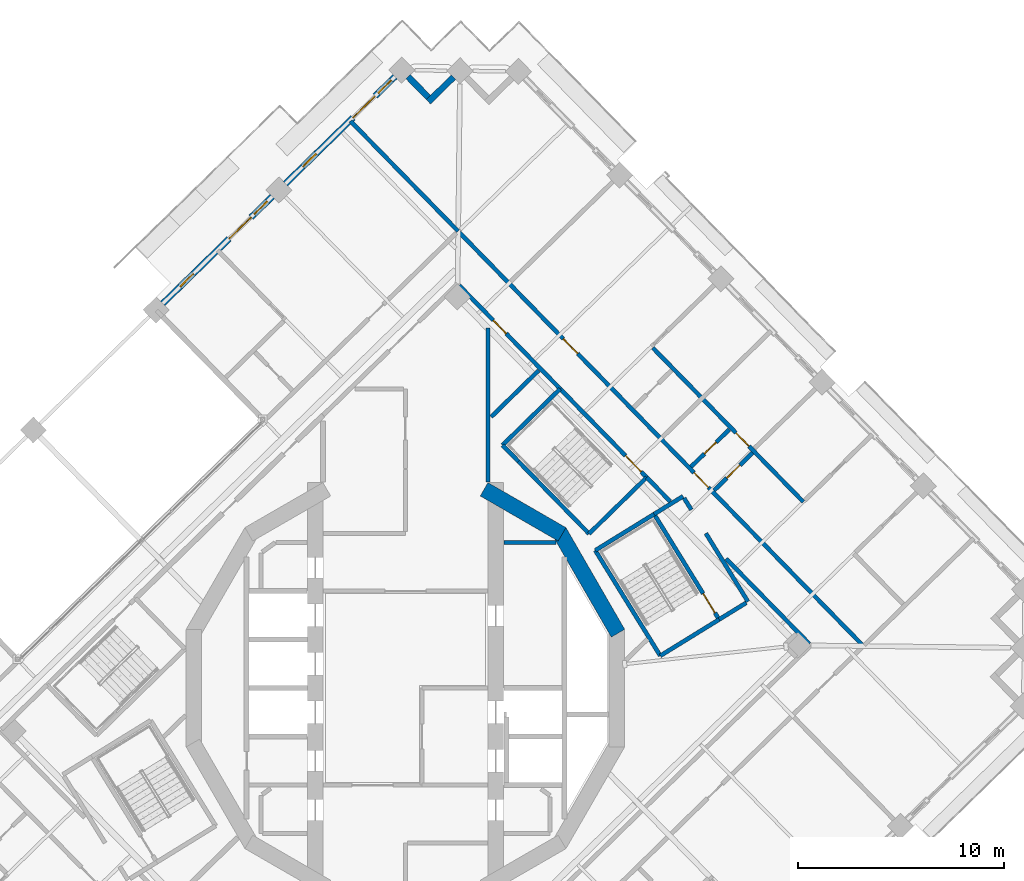
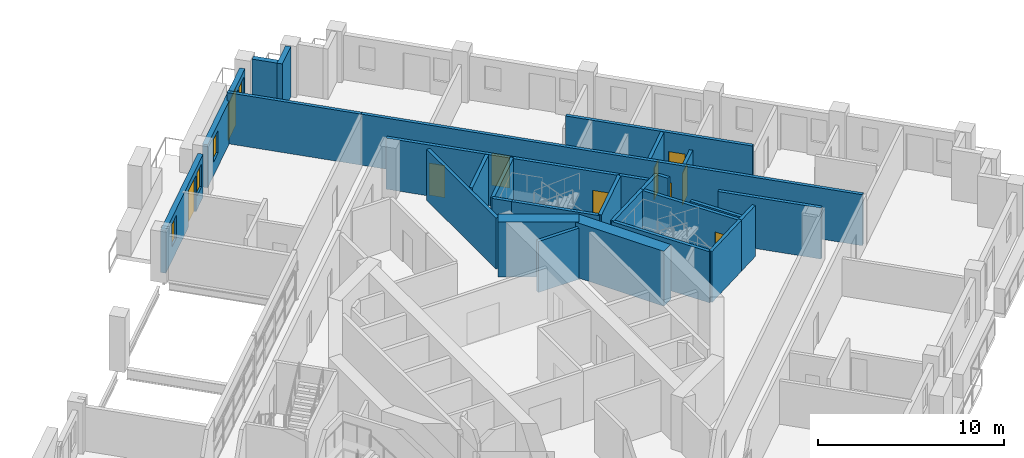
# One storey, part 12 of 21: 30 walls, 10 doors, 4 windows, 14 openings.
"""IFC4 building model written with IfcOpenShell, lengths in metres."""

from ifc_helpers import new_model, si_unit, direction, frame, frame_2d, origin, place, context, subcontext, project, spatial, rectangle, extrude, material, layer, layer_set, type_object, element, fill, save


model = new_model("IFC4")

# Units and contexts
model_context = context("Model", 3, precision=1e-05, world=origin(), true_north=direction((0.0, 1.0)))
body_context = subcontext(model_context, "Body", "Model", "MODEL_VIEW")
ifc_project = project(units=[si_unit("LENGTHUNIT", "METRE"), si_unit("AREAUNIT", "SQUARE_METRE"), si_unit("VOLUMEUNIT", "CUBIC_METRE"), si_unit("PLANEANGLEUNIT", "RADIAN"), si_unit("MASSUNIT", "GRAM", prefix="KILO")], contexts=[model_context])

# Site, building, storey
site_placement = place(None, origin())
site = spatial("IfcSite", under=ifc_project, at=site_placement, CompositionType="ELEMENT")
building_placement = place(site_placement, origin())
building = spatial("IfcBuilding", under=site, at=building_placement, Name="Cantera Rosa Tower", CompositionType="ELEMENT")
storey_placement = place(building_placement, frame((0.0, 0.0, 230.60009765625)))
storey = spatial("IfcBuildingStorey", under=building, at=storey_placement, Name="L50", CompositionType="ELEMENT", Elevation=230.60009765625)

# Wall
ifc_material_1 = material(Name="Gypsum board partition")
ifc_layer_1 = layer(ifc_material_1, 0.199951171875)
ifc_layer_set_1 = layer_set([ifc_layer_1], Name="CORRIDOR WALL 200 H2300")
wall_type_1 = type_object("IfcWallType", Name="CORRIDOR WALL 200 H2300", PredefinedType="PARTITIONING", material=ifc_layer_set_1)
wall_1_placement = place(storey_placement, frame((14.55810546875, 7.5009765625, 0.0), z_axis=(0.0, 0.0, 1.0), x_axis=(0.524986446256, -0.851110586967, 0.0)))
element("IfcWall", 1, at=wall_1_placement, inside=storey, type_object=wall_type_1, Name="CORRIDOR WALL L50-109", PredefinedType="PARTITIONING", context=body_context, shape_type="SweptSolid", body=[
    extrude(rectangle(XDim=3.890625, YDim=0.199951171875, at=frame_2d((1.9453125, 0.0))), origin(), (0.0, 0.0, 1.0), 2.2998046875),
])

# Wall, openings, doors
ifc_material_2 = material(Name="Gypsum board partition")
ifc_layer_2 = layer(ifc_material_2, 0.199951171875)
ifc_layer_set_2 = layer_set([ifc_layer_2], Name="CORRIDOR WALL 200 H3350")
wall_type_2 = type_object("IfcWallType", Name="CORRIDOR WALL 200 H3350", PredefinedType="PARTITIONING", material=ifc_layer_set_2)
wall_2_placement = place(storey_placement, frame((2.56982421875, 22.125244140625, 0.0), z_axis=(0.0, 0.0, 1.0), x_axis=(0.698835160182, -0.715282754506, 0.0)))
wall_2 = element("IfcWall", 2, at=wall_2_placement, inside=storey, type_object=wall_type_2, Name="CORRIDOR WALL L50-070", PredefinedType="PARTITIONING", context=body_context, shape_type="SweptSolid", body=[
    extrude(rectangle(XDim=27.97998046875, YDim=0.199951171875, at=frame_2d((13.989990234375, 0.0))), origin(), (0.0, 0.0, 1.0), 3.349853515625),
])
opening_1_placement = place(wall_2_placement, frame((16.330078125, 0.0, 0.0)))
opening_1 = element("IfcOpeningElement", 3, at=opening_1_placement, cuts=wall_2, Name="Opening L50-025", PredefinedType="OPENING", context=body_context, shape_type="SweptSolid", body=[
    extrude(rectangle(XDim=1.0, YDim=2.10009765625, at=frame_2d((0.5, 1.050048828125))), frame((0.0, 0.10986328125, 0.0), z_axis=(0.0, -1.0, 0.0), x_axis=(1.0, 0.0, 0.0)), (0.0, 0.0, 1.0), 0.219970703125),
])
opening_2_placement = place(wall_2_placement, frame((7.264892578125, 0.0, 0.0)))
opening_2 = element("IfcOpeningElement", 4, at=opening_2_placement, cuts=wall_2, Name="Opening L50-031", PredefinedType="OPENING", context=body_context, shape_type="SweptSolid", body=[
    extrude(rectangle(XDim=1.0, YDim=2.10009765625, at=frame_2d((0.5, 1.050048828125))), frame((0.0, 0.10986328125, 0.0), z_axis=(0.0, -1.0, 0.0), x_axis=(1.0, 0.0, 0.0)), (0.0, 0.0, 1.0), 0.219970703125),
])
ifc_material_3 = material(Name="Timber door leaf", Category="wood")
door_type_1 = type_object("IfcDoorType", Name="ENTRANCE DOOR 1000x2100", OperationType="NOTDEFINED", PredefinedType="DOOR", material=ifc_material_3)
door_1_placement = place(opening_1_placement, origin())
door_1 = element("IfcDoor", 5, at=door_1_placement, inside=storey, type_object=door_type_1, Name="DOOR L50-025", OperationType="NOTDEFINED", OverallHeight=2.10009765625, OverallWidth=1.0, PredefinedType="DOOR", context=body_context, shape_type="SweptSolid", body=[
    extrude(rectangle(XDim=1.0, YDim=2.10009765625, at=frame_2d((0.5, 1.050048828125))), frame((0.0, 0.02490234375, 0.0), z_axis=(0.0, -1.0, 0.0), x_axis=(1.0, 0.0, 0.0)), (0.0, 0.0, 1.0), 0.050048828125),
])
fill(opening_1, door_1)
door_2_placement = place(opening_2_placement, origin())
door_2 = element("IfcDoor", 6, at=door_2_placement, inside=storey, type_object=door_type_1, Name="DOOR L50-031", OperationType="NOTDEFINED", OverallHeight=2.10009765625, OverallWidth=1.0, PredefinedType="DOOR", context=body_context, shape_type="SweptSolid", body=[
    extrude(rectangle(XDim=1.0, YDim=2.10009765625, at=frame_2d((0.5, 1.050048828125))), frame((0.0, 0.02490234375, 0.0), z_axis=(0.0, -1.0, 0.0), x_axis=(1.0, 0.0, 0.0)), (0.0, 0.0, 1.0), 0.050048828125),
])
fill(opening_2, door_2)

# Wall
wall_3_placement = place(storey_placement, frame((4.0, 17.44189453125, 0.0), z_axis=(0.0, 0.0, 1.0), x_axis=(0.0, -1.0, 0.0)))
element("IfcWall", 7, at=wall_3_placement, inside=storey, type_object=wall_type_2, Name="CORRIDOR WALL L50-075", PredefinedType="PARTITIONING", context=body_context, shape_type="SweptSolid", body=[
    extrude(rectangle(XDim=7.44775390625, YDim=0.199951171875, at=frame_2d((3.723876953125, 0.0))), origin(), (0.0, 0.0, 1.0), 3.349853515625),
])

# Wall, opening, door
wall_4_placement = place(storey_placement, frame((7.498779296875, 14.50439453125, 0.0), z_axis=(0.0, 0.0, 1.0), x_axis=(-0.698822589619, 0.715295035799, 0.0)))
wall_4 = element("IfcWall", 8, at=wall_4_placement, inside=storey, type_object=wall_type_2, Name="CORRIDOR WALL L50-086", PredefinedType="PARTITIONING", context=body_context, shape_type="SweptSolid", body=[
    extrude(rectangle(XDim=6.99560546875, YDim=0.199951171875, at=frame_2d((3.497802734375, 0.0))), origin(), (0.0, 0.0, 1.0), 3.349853515625),
])
opening_3_placement = place(wall_4_placement, frame((3.7373046875, 0.0, 0.0)))
opening_3 = element("IfcOpeningElement", 9, at=opening_3_placement, cuts=wall_4, Name="Opening L50-007", PredefinedType="OPENING", context=body_context, shape_type="SweptSolid", body=[
    extrude(rectangle(XDim=0.89990234375, YDim=2.10009765625, at=frame_2d((0.449951171875, 1.050048828125))), frame((0.0, 0.10986328125, 0.0), z_axis=(0.0, -1.0, 0.0), x_axis=(1.0, 0.0, 0.0)), (0.0, 0.0, 1.0), 0.219970703125),
])
ifc_material_4 = material(Name="Timber door leaf", Category="wood")
door_type_2 = type_object("IfcDoorType", Name="SERVICE DOOR 900x2100", OperationType="NOTDEFINED", PredefinedType="DOOR", material=ifc_material_4)
door_3_placement = place(opening_3_placement, origin())
door_3 = element("IfcDoor", 10, at=door_3_placement, inside=storey, type_object=door_type_2, Name="DOOR L50-007", OperationType="NOTDEFINED", OverallHeight=2.10009765625, OverallWidth=0.89990234375, PredefinedType="DOOR", context=body_context, shape_type="SweptSolid", body=[
    extrude(rectangle(XDim=0.89990234375, YDim=2.10009765625, at=frame_2d((0.449951171875, 1.050048828125))), frame((0.0, 0.02490234375, 0.0), z_axis=(0.0, -1.0, 0.0), x_axis=(1.0, 0.0, 0.0)), (0.0, 0.0, 1.0), 0.050048828125),
])
fill(opening_3, door_3)

# Walls
wall_5_placement = place(storey_placement, frame((12.05078125, 8.4326171875, 0.0), z_axis=(0.0, 0.0, 1.0), x_axis=(0.851076929832, 0.525041007453, 0.0)))
element("IfcWall", 11, at=wall_5_placement, inside=storey, type_object=wall_type_2, Name="CORRIDOR WALL L50-103", PredefinedType="PARTITIONING", context=body_context, shape_type="SweptSolid", body=[
    extrude(rectangle(XDim=1.645263671875, YDim=0.199951171875, at=frame_2d((0.82275390625, 0.0))), origin(), (0.0, 0.0, 1.0), 3.349853515625),
])
wall_6_placement = place(storey_placement, frame((12.828125, 9.0498046875, 0.0), z_axis=(0.0, 0.0, 1.0), x_axis=(-0.698800279723, 0.715316831242, 0.0)))
element("IfcWall", 12, at=wall_6_placement, inside=storey, type_object=wall_type_2, Name="CORRIDOR WALL L50-107", PredefinedType="PARTITIONING", context=body_context, shape_type="SweptSolid", body=[
    extrude(rectangle(XDim=1.6259765625, YDim=0.199951171875, at=frame_2d((0.81298828125, 0.0))), origin(), (0.0, 0.0, 1.0), 3.349853515625),
])
wall_7_placement = place(storey_placement, frame((13.50341796875, 9.211181640625, 0.0), z_axis=(0.0, 0.0, 1.0), x_axis=(0.52487540685, -0.851179068871, 0.0)))
element("IfcWall", 13, at=wall_7_placement, inside=storey, type_object=wall_type_2, Name="CORRIDOR WALL L50-108", PredefinedType="PARTITIONING", context=body_context, shape_type="SweptSolid", body=[
    extrude(rectangle(XDim=0.6650390625, YDim=0.199951171875, at=frame_2d((0.33251953125, 0.0))), origin(), (0.0, 0.0, 1.0), 3.349853515625),
])
wall_8_placement = place(storey_placement, frame((15.20068359375, 3.325927734375, 0.0), z_axis=(0.0, 0.0, 1.0), x_axis=(0.851055543597, 0.525075672368, 0.0)))
element("IfcWall", 14, at=wall_8_placement, inside=storey, type_object=wall_type_2, Name="CORRIDOR WALL L50-112", PredefinedType="PARTITIONING", context=body_context, shape_type="SweptSolid", body=[
    extrude(rectangle(XDim=1.545166015625, YDim=0.199951171875, at=frame_2d((0.7724609375, 0.0))), origin(), (0.0, 0.0, 1.0), 3.349853515625),
])
wall_9_placement = place(storey_placement, frame((19.57763671875, 2.14111328125, 0.0), z_axis=(0.0, 0.0, 1.0), x_axis=(-0.698830151438, 0.715287648042, 0.0)))
element("IfcWall", 15, at=wall_9_placement, inside=storey, type_object=wall_type_2, Name="CORRIDOR WALL L50-118", PredefinedType="PARTITIONING", context=body_context, shape_type="SweptSolid", body=[
    extrude(rectangle(XDim=5.770751953125, YDim=0.199951171875, at=frame_2d((2.88525390625, 0.0))), origin(), (0.0, 0.0, 1.0), 3.349853515625),
])
ifc_material_5 = material(Name="Hollow clay masonry with cantera stone cladding", Category="masonry")
ifc_layer_3 = layer(ifc_material_5, 0.300048828125)
ifc_layer_set_3 = layer_set([ifc_layer_3], Name="EW-LOGGIA 300")
wall_type_3 = type_object("IfcWallType", Name="EW-LOGGIA 300", PredefinedType="SOLIDWALL", material=ifc_layer_set_3)
wall_10_placement = place(storey_placement, frame((2.324462890625, 29.602783203125, 0.0), z_axis=(0.0, 0.0, 1.0), x_axis=(-0.715316077832, -0.69880105094, 0.0)))
element("IfcWall", 16, at=wall_10_placement, inside=storey, type_object=wall_type_3, Name="EN-L50-W06a", PredefinedType="SOLIDWALL", context=body_context, shape_type="SweptSolid", body=[
    extrude(rectangle(XDim=1.699951171875, YDim=0.300048828125, at=frame_2d((0.85009765625, 0.0))), origin(), (0.0, 0.0, 1.0), 3.2998046875),
])
wall_11_placement = place(storey_placement, frame((1.111083984375, 28.626953125, 0.0), z_axis=(0.0, 0.0, 1.0), x_axis=(-0.698951192766, 0.71516937164, 0.0)))
element("IfcWall", 17, at=wall_11_placement, inside=storey, type_object=wall_type_3, Name="EN-L50-W06b", PredefinedType="SOLIDWALL", context=body_context, shape_type="SweptSolid", body=[
    extrude(rectangle(XDim=1.39990234375, YDim=0.300048828125, at=frame_2d((0.699951171875, 0.0))), origin(), (0.0, 0.0, 1.0), 3.2998046875),
])

# Wall, openings, windows, door
ifc_material_6 = material(Name="Hollow clay masonry with cantera stone cladding", Category="masonry")
ifc_layer_4 = layer(ifc_material_6, 0.300048828125)
ifc_layer_set_4 = layer_set([ifc_layer_4], Name="EW-LOGGIA 300 H2820")
wall_type_4 = type_object("IfcWallType", Name="EW-LOGGIA 300 H2820", PredefinedType="SOLIDWALL", material=ifc_layer_set_4)
wall_12_placement = place(storey_placement, frame((-0.503662109375, 29.6357421875, 0.0), z_axis=(0.0, 0.0, 1.0), x_axis=(-0.715284379566, -0.698833496871, 0.0)))
wall_12 = element("IfcWall", 18, at=wall_12_placement, inside=storey, type_object=wall_type_4, Name="EN-L50-W07", PredefinedType="SOLIDWALL", context=body_context, shape_type="SweptSolid", body=[
    extrude(rectangle(XDim=7.42041015625, YDim=0.300048828125, at=frame_2d((3.710205078125, 0.0))), origin(), (0.0, 0.0, 1.0), 2.81982421875),
])
opening_4_placement = place(wall_12_placement, frame((0.25, 0.0, 0.89990234375)))
opening_4 = element("IfcOpeningElement", 19, at=opening_4_placement, cuts=wall_12, Name="Opening L50-W13", PredefinedType="OPENING", context=body_context, shape_type="SweptSolid", body=[
    extrude(rectangle(XDim=0.89990234375, YDim=1.5, at=frame_2d((0.449951171875, 0.75))), frame((0.0, 0.159912109375, 0.0), z_axis=(0.0, -1.0, 0.0), x_axis=(1.0, 0.0, 0.0)), (0.0, 0.0, 1.0), 0.320068359375),
])
opening_5_placement = place(wall_12_placement, frame((1.35009765625, 0.0, 0.0)))
opening_5 = element("IfcOpeningElement", 20, at=opening_5_placement, cuts=wall_12, Name="Opening L50-TD14", PredefinedType="OPENING", context=body_context, shape_type="SweptSolid", body=[
    extrude(rectangle(XDim=1.5, YDim=2.39990234375, at=frame_2d((0.75, 1.199951171875))), frame((0.0, 0.159912109375, 0.0), z_axis=(0.0, -1.0, 0.0), x_axis=(1.0, 0.0, 0.0)), (0.0, 0.0, 1.0), 0.320068359375),
])
opening_6_placement = place(wall_12_placement, frame((5.340087890625, 0.0, 0.89990234375)))
opening_6 = element("IfcOpeningElement", 21, at=opening_6_placement, cuts=wall_12, Name="Opening L50-W15", PredefinedType="OPENING", context=body_context, shape_type="SweptSolid", body=[
    extrude(rectangle(XDim=0.89990234375, YDim=1.5, at=frame_2d((0.449951171875, 0.75))), frame((0.0, 0.159912109375, 0.0), z_axis=(0.0, -1.0, 0.0), x_axis=(1.0, 0.0, 0.0)), (0.0, 0.0, 1.0), 0.320068359375),
])
ifc_material_7 = material(Name="Aluminium frame with clear glass", Category="aluminium")
window_type = type_object("IfcWindowType", Name="Residential window 900x1500", PartitioningType="SINGLE_PANEL", PredefinedType="WINDOW", material=ifc_material_7)
window_1_placement = place(opening_4_placement, origin())
window_1 = element("IfcWindow", 22, at=window_1_placement, inside=storey, type_object=window_type, Name="WINDOW L50-W13", OverallHeight=1.5, OverallWidth=0.89990234375, PartitioningType="SINGLE_PANEL", PredefinedType="WINDOW", context=body_context, shape_type="SweptSolid", body=[
    extrude(rectangle(XDim=0.89990234375, YDim=1.5, at=frame_2d((0.449951171875, 0.75))), frame((0.0, 0.030029296875, 0.0), z_axis=(0.0, -1.0, 0.0), x_axis=(1.0, 0.0, 0.0)), (0.0, 0.0, 1.0), 0.06005859375),
])
fill(opening_4, window_1)
window_2_placement = place(opening_6_placement, origin())
window_2 = element("IfcWindow", 23, at=window_2_placement, inside=storey, type_object=window_type, Name="WINDOW L50-W15", OverallHeight=1.5, OverallWidth=0.89990234375, PartitioningType="SINGLE_PANEL", PredefinedType="WINDOW", context=body_context, shape_type="SweptSolid", body=[
    extrude(rectangle(XDim=0.89990234375, YDim=1.5, at=frame_2d((0.449951171875, 0.75))), frame((0.0, 0.030029296875, 0.0), z_axis=(0.0, -1.0, 0.0), x_axis=(1.0, 0.0, 0.0)), (0.0, 0.0, 1.0), 0.06005859375),
])
fill(opening_6, window_2)
ifc_material_8 = material(Name="Aluminium frame with clear glass", Category="aluminium")
door_type_3 = type_object("IfcDoorType", Name="TD-R 1500x2400", OperationType="NOTDEFINED", PredefinedType="DOOR", material=ifc_material_8)
door_4_placement = place(opening_5_placement, origin())
door_4 = element("IfcDoor", 24, at=door_4_placement, inside=storey, type_object=door_type_3, Name="LOGGIA DOOR L50-TD14", OperationType="SLIDING_TO_LEFT", OverallHeight=2.39990234375, OverallWidth=1.5, PredefinedType="DOOR", context=body_context, shape_type="SweptSolid", body=[
    extrude(rectangle(XDim=1.5, YDim=2.39990234375, at=frame_2d((0.75, 1.199951171875))), frame((0.0, 0.02490234375, 0.0), z_axis=(0.0, -1.0, 0.0), x_axis=(1.0, 0.0, 0.0)), (0.0, 0.0, 1.0), 0.050048828125),
])
fill(opening_5, door_4)

wall_13_placement = place(storey_placement, frame((-6.454833984375, 23.8212890625, 0.0), z_axis=(0.0, 0.0, 1.0), x_axis=(-0.715300826176, -0.698816662703, 0.0)))
wall_13 = element("IfcWall", 25, at=wall_13_placement, inside=storey, type_object=wall_type_4, Name="EN-L50-W08", PredefinedType="SOLIDWALL", context=body_context, shape_type="SweptSolid", body=[
    extrude(rectangle(XDim=7.420166015625, YDim=0.300048828125, at=frame_2d((3.7099609375, 0.0))), origin(), (0.0, 0.0, 1.0), 2.81982421875),
])
opening_7_placement = place(wall_13_placement, frame((0.330078125, 0.0, 0.89990234375)))
opening_7 = element("IfcOpeningElement", 26, at=opening_7_placement, cuts=wall_13, Name="Opening L50-W16", PredefinedType="OPENING", context=body_context, shape_type="SweptSolid", body=[
    extrude(rectangle(XDim=0.89990234375, YDim=1.5, at=frame_2d((0.449951171875, 0.75))), frame((0.0, 0.159912109375, 0.0), z_axis=(0.0, -1.0, 0.0), x_axis=(1.0, 0.0, 0.0)), (0.0, 0.0, 1.0), 0.320068359375),
])
opening_8_placement = place(wall_13_placement, frame((1.429931640625, 0.0, 0.0)))
opening_8 = element("IfcOpeningElement", 27, at=opening_8_placement, cuts=wall_13, Name="Opening L50-TD17", PredefinedType="OPENING", context=body_context, shape_type="SweptSolid", body=[
    extrude(rectangle(XDim=1.5, YDim=2.39990234375, at=frame_2d((0.75, 1.199951171875))), frame((0.0, 0.159912109375, 0.0), z_axis=(0.0, -1.0, 0.0), x_axis=(1.0, 0.0, 0.0)), (0.0, 0.0, 1.0), 0.320068359375),
])
opening_9_placement = place(wall_13_placement, frame((5.340087890625, 0.0, 0.89990234375)))
opening_9 = element("IfcOpeningElement", 28, at=opening_9_placement, cuts=wall_13, Name="Opening L50-W18", PredefinedType="OPENING", context=body_context, shape_type="SweptSolid", body=[
    extrude(rectangle(XDim=0.89990234375, YDim=1.5, at=frame_2d((0.449951171875, 0.75))), frame((0.0, 0.159912109375, 0.0), z_axis=(0.0, -1.0, 0.0), x_axis=(1.0, 0.0, 0.0)), (0.0, 0.0, 1.0), 0.320068359375),
])
window_3_placement = place(opening_7_placement, origin())
window_3 = element("IfcWindow", 29, at=window_3_placement, inside=storey, type_object=window_type, Name="WINDOW L50-W16", OverallHeight=1.5, OverallWidth=0.89990234375, PartitioningType="SINGLE_PANEL", PredefinedType="WINDOW", context=body_context, shape_type="SweptSolid", body=[
    extrude(rectangle(XDim=0.89990234375, YDim=1.5, at=frame_2d((0.449951171875, 0.75))), frame((0.0, 0.030029296875, 0.0), z_axis=(0.0, -1.0, 0.0), x_axis=(1.0, 0.0, 0.0)), (0.0, 0.0, 1.0), 0.06005859375),
])
fill(opening_7, window_3)
window_4_placement = place(opening_9_placement, origin())
window_4 = element("IfcWindow", 30, at=window_4_placement, inside=storey, type_object=window_type, Name="WINDOW L50-W18", OverallHeight=1.5, OverallWidth=0.89990234375, PartitioningType="SINGLE_PANEL", PredefinedType="WINDOW", context=body_context, shape_type="SweptSolid", body=[
    extrude(rectangle(XDim=0.89990234375, YDim=1.5, at=frame_2d((0.449951171875, 0.75))), frame((0.0, 0.030029296875, 0.0), z_axis=(0.0, -1.0, 0.0), x_axis=(1.0, 0.0, 0.0)), (0.0, 0.0, 1.0), 0.06005859375),
])
fill(opening_9, window_4)
door_5_placement = place(opening_8_placement, origin())
door_5 = element("IfcDoor", 31, at=door_5_placement, inside=storey, type_object=door_type_3, Name="LOGGIA DOOR L50-TD17", OperationType="SLIDING_TO_LEFT", OverallHeight=2.39990234375, OverallWidth=1.5, PredefinedType="DOOR", context=body_context, shape_type="SweptSolid", body=[
    extrude(rectangle(XDim=1.5, YDim=2.39990234375, at=frame_2d((0.75, 1.199951171875))), frame((0.0, 0.02490234375, 0.0), z_axis=(0.0, -1.0, 0.0), x_axis=(1.0, 0.0, 0.0)), (0.0, 0.0, 1.0), 0.050048828125),
])
fill(opening_8, door_5)

# Wall, opening, door
ifc_material_9 = material(Name="Gypsum board partition")
ifc_layer_5 = layer(ifc_material_9, 0.199951171875)
ifc_layer_set_5 = layer_set([ifc_layer_5], Name="PARTITION 200 H2450")
wall_type_5 = type_object("IfcWallType", Name="PARTITION 200 H2450", PredefinedType="PARTITIONING", material=ifc_layer_set_5)
wall_14_placement = place(storey_placement, frame((16.821533203125, 11.401611328125, 0.0), z_axis=(0.0, 0.0, 1.0), x_axis=(-0.715275742918, -0.69884233672, 0.0)))
wall_14 = element("IfcWall", 32, at=wall_14_placement, inside=storey, type_object=wall_type_5, Name="PARTITION L50-114", PredefinedType="PARTITIONING", context=body_context, shape_type="SweptSolid", body=[
    extrude(rectangle(XDim=2.599853515625, YDim=0.199951171875, at=frame_2d((1.2998046875, 0.0))), origin(), (0.0, 0.0, 1.0), 2.449951171875),
])
opening_10_placement = place(wall_14_placement, frame((0.85009765625, 0.0, 0.0)))
opening_10 = element("IfcOpeningElement", 33, at=opening_10_placement, cuts=wall_14, Name="Opening L50-027", PredefinedType="OPENING", context=body_context, shape_type="SweptSolid", body=[
    extrude(rectangle(XDim=0.89990234375, YDim=2.10009765625, at=frame_2d((0.449951171875, 1.050048828125))), frame((0.0, 0.10986328125, 0.0), z_axis=(0.0, -1.0, 0.0), x_axis=(1.0, 0.0, 0.0)), (0.0, 0.0, 1.0), 0.219970703125),
])
ifc_material_10 = material(Name="Timber door leaf", Category="wood")
door_type_4 = type_object("IfcDoorType", Name="ROOM DOOR 900x2100", OperationType="NOTDEFINED", PredefinedType="DOOR", material=ifc_material_10)
door_6_placement = place(opening_10_placement, origin())
door_6 = element("IfcDoor", 34, at=door_6_placement, inside=storey, type_object=door_type_4, Name="DOOR L50-027", OperationType="NOTDEFINED", OverallHeight=2.10009765625, OverallWidth=0.89990234375, PredefinedType="DOOR", context=body_context, shape_type="SweptSolid", body=[
    extrude(rectangle(XDim=0.89990234375, YDim=2.10009765625, at=frame_2d((0.449951171875, 1.050048828125))), frame((0.0, 0.02490234375, 0.0), z_axis=(0.0, -1.0, 0.0), x_axis=(1.0, 0.0, 0.0)), (0.0, 0.0, 1.0), 0.050048828125),
])
fill(opening_10, door_6)

# Walls
ifc_material_11 = material(Name="Gypsum board partition")
ifc_layer_6 = layer(ifc_material_11, 0.199951171875)
ifc_layer_set_6 = layer_set([ifc_layer_6], Name="PARTITION 200 H3350")
wall_type_6 = type_object("IfcWallType", Name="PARTITION 200 H3350", PredefinedType="PARTITIONING", material=ifc_layer_set_6)
wall_15_placement = place(storey_placement, frame((-2.664306640625, 27.482666015625, 0.0), z_axis=(0.0, 0.0, 1.0), x_axis=(0.698839096465, -0.715278908715, 0.0)))
element("IfcWall", 35, at=wall_15_placement, inside=storey, type_object=wall_type_6, Name="PARTITION L50-052", PredefinedType="PARTITIONING", context=body_context, shape_type="SweptSolid", body=[
    extrude(rectangle(XDim=7.4697265625, YDim=0.199951171875, at=frame_2d((3.73486328125, 0.0))), origin(), (0.0, 0.0, 1.0), 3.349853515625),
])
wall_16_placement = place(storey_placement, frame((4.780029296875, 7.050048828125, 0.0), z_axis=(0.0, 0.0, 1.0), x_axis=(1.0, 0.0, 0.0)))
element("IfcWall", 36, at=wall_16_placement, inside=storey, type_object=wall_type_6, Name="PARTITION L50-078", PredefinedType="PARTITIONING", context=body_context, shape_type="SweptSolid", body=[
    extrude(rectangle(XDim=2.517822265625, YDim=0.199951171875, at=frame_2d((1.2587890625, 0.0))), origin(), (0.0, 0.0, 1.0), 3.349853515625),
])
wall_17_placement = place(storey_placement, frame((6.458740234375, 15.3974609375, 0.0), z_axis=(0.0, 0.0, 1.0), x_axis=(-0.715254439493, -0.698864140434, 0.0)))
element("IfcWall", 37, at=wall_17_placement, inside=storey, type_object=wall_type_6, Name="PARTITION L50-083", PredefinedType="PARTITIONING", context=body_context, shape_type="SweptSolid", body=[
    extrude(rectangle(XDim=3.217529296875, YDim=0.199951171875, at=frame_2d((1.60888671875, 0.0))), origin(), (0.0, 0.0, 1.0), 3.349853515625),
])

# Wall, opening, door
wall_18_placement = place(storey_placement, frame((11.994140625, 16.485595703125, 0.0), z_axis=(0.0, 0.0, 1.0), x_axis=(0.698843147981, -0.715274950295, 0.0)))
wall_18 = element("IfcWall", 38, at=wall_18_placement, inside=storey, type_object=wall_type_6, Name="PARTITION L50-102", PredefinedType="PARTITIONING", context=body_context, shape_type="SweptSolid", body=[
    extrude(rectangle(XDim=10.43017578125, YDim=0.199951171875, at=frame_2d((5.215087890625, 0.0))), origin(), (0.0, 0.0, 1.0), 3.349853515625),
])
opening_11_placement = place(wall_18_placement, frame((5.760009765625, 0.0, 0.0)))
opening_11 = element("IfcOpeningElement", 39, at=opening_11_placement, cuts=wall_18, Name="Opening L50-028", PredefinedType="OPENING", context=body_context, shape_type="SweptSolid", body=[
    extrude(rectangle(XDim=0.89990234375, YDim=2.10009765625, at=frame_2d((0.449951171875, 1.050048828125))), frame((0.0, 0.10986328125, 0.0), z_axis=(0.0, -1.0, 0.0), x_axis=(1.0, 0.0, 0.0)), (0.0, 0.0, 1.0), 0.219970703125),
])
door_7_placement = place(opening_11_placement, origin())
door_7 = element("IfcDoor", 40, at=door_7_placement, inside=storey, type_object=door_type_4, Name="DOOR L50-028", OperationType="NOTDEFINED", OverallHeight=2.10009765625, OverallWidth=0.89990234375, PredefinedType="DOOR", context=body_context, shape_type="SweptSolid", body=[
    extrude(rectangle(XDim=0.89990234375, YDim=2.10009765625, at=frame_2d((0.449951171875, 1.050048828125))), frame((0.0, 0.02490234375, 0.0), z_axis=(0.0, -1.0, 0.0), x_axis=(1.0, 0.0, 0.0)), (0.0, 0.0, 1.0), 0.050048828125),
])
fill(opening_11, door_7)

wall_19_placement = place(storey_placement, frame((15.689208984375, 12.531982421875, 0.0), z_axis=(0.0, 0.0, 1.0), x_axis=(-0.715337680074, -0.69877893748, 0.0)))
wall_19 = element("IfcWall", 41, at=wall_19_placement, inside=storey, type_object=wall_type_6, Name="PARTITION L50-113", PredefinedType="PARTITIONING", context=body_context, shape_type="SweptSolid", body=[
    extrude(rectangle(XDim=2.580078125, YDim=0.199951171875, at=frame_2d((1.2900390625, 0.0))), origin(), (0.0, 0.0, 1.0), 3.349853515625),
])
opening_12_placement = place(wall_19_placement, frame((0.8798828125, 0.0, 0.0)))
opening_12 = element("IfcOpeningElement", 42, at=opening_12_placement, cuts=wall_19, Name="Opening L50-026", PredefinedType="OPENING", context=body_context, shape_type="SweptSolid", body=[
    extrude(rectangle(XDim=0.800048828125, YDim=2.10009765625, at=frame_2d((0.39990234375, 1.050048828125))), frame((0.0, 0.10986328125, 0.0), z_axis=(0.0, -1.0, 0.0), x_axis=(1.0, 0.0, 0.0)), (0.0, 0.0, 1.0), 0.219970703125),
])
ifc_material_12 = material(Name="Timber door leaf", Category="wood")
door_type_5 = type_object("IfcDoorType", Name="BATHROOM DOOR 800x2100", OperationType="NOTDEFINED", PredefinedType="DOOR", material=ifc_material_12)
door_8_placement = place(opening_12_placement, origin())
door_8 = element("IfcDoor", 43, at=door_8_placement, inside=storey, type_object=door_type_5, Name="DOOR L50-026", OperationType="NOTDEFINED", OverallHeight=2.10009765625, OverallWidth=0.800048828125, PredefinedType="DOOR", context=body_context, shape_type="SweptSolid", body=[
    extrude(rectangle(XDim=0.800048828125, YDim=2.10009765625, at=frame_2d((0.39990234375, 1.050048828125))), frame((0.0, 0.02490234375, 0.0), z_axis=(0.0, -1.0, 0.0), x_axis=(1.0, 0.0, 0.0)), (0.0, 0.0, 1.0), 0.050048828125),
])
fill(opening_12, door_8)

# Walls
ifc_material_13 = material(Name="Concrete C60/75", Category="concrete")
ifc_layer_7 = layer(ifc_material_13, 0.75)
ifc_layer_set_7 = layer_set([ifc_layer_7], Name="RC CORE WALL 750 C60/75")
wall_type_7 = type_object("IfcWallType", Name="RC CORE WALL 750 C60/75", PredefinedType="SHEAR", material=ifc_layer_set_7)
wall_20_placement = place(storey_placement, frame((3.8125, 9.634765625, 0.0), z_axis=(0.0, 0.0, 1.0), x_axis=(0.866013176292, -0.50002117804, 0.0)))
element("IfcWall", 44, at=wall_20_placement, inside=storey, type_object=wall_type_7, Name="CW-E1 L50", PredefinedType="SHEAR", context=body_context, shape_type="SweptSolid", body=[
    extrude(rectangle(XDim=4.362548828125, YDim=0.75, at=frame_2d((2.18115234375, 0.0))), origin(), (0.0, 0.0, 1.0), 3.599853515625),
])
wall_21_placement = place(storey_placement, frame((7.453369140625, 7.590576171875, 0.0), z_axis=(0.0, 0.0, 1.0), x_axis=(0.500021842983, -0.866012792365, 0.0)))
element("IfcWall", 45, at=wall_21_placement, inside=storey, type_object=wall_type_7, Name="CW-E2 L50", PredefinedType="SHEAR", context=body_context, shape_type="SweptSolid", body=[
    extrude(rectangle(XDim=5.694091796875, YDim=0.75, at=frame_2d((2.84716796875, 0.0))), origin(), (0.0, 0.0, 1.0), 3.599853515625),
])
ifc_material_14 = material(Name="Concrete C50/60", Category="concrete")
ifc_layer_8 = layer(ifc_material_14, 0.199951171875)
ifc_layer_set_8 = layer_set([ifc_layer_8], Name="STAIR WALL 200 H3350")
wall_type_8 = type_object("IfcWallType", Name="STAIR WALL 200 H3350", PredefinedType="SOLIDWALL", material=ifc_layer_set_8)
wall_22_placement = place(storey_placement, frame((4.705322265625, 11.775390625, 0.0), z_axis=(0.0, 0.0, 1.0), x_axis=(0.715310770212, 0.698806483956, 0.0)))
element("IfcWall", 46, at=wall_22_placement, inside=storey, type_object=wall_type_8, Name="STAIR WALL L50-076", PredefinedType="SOLIDWALL", context=body_context, shape_type="SweptSolid", body=[
    extrude(rectangle(XDim=3.9052734375, YDim=0.199951171875, at=frame_2d((1.95263671875, 0.0))), origin(), (0.0, 0.0, 1.0), 3.349853515625),
])
wall_23_placement = place(storey_placement, frame((8.8984375, 7.483642578125, 0.0), z_axis=(0.0, 0.0, 1.0), x_axis=(-0.698837952642, 0.715280026246, 0.0)))
element("IfcWall", 47, at=wall_23_placement, inside=storey, type_object=wall_type_8, Name="STAIR WALL L50-092", PredefinedType="SOLIDWALL", context=body_context, shape_type="SweptSolid", body=[
    extrude(rectangle(XDim=4.89990234375, YDim=0.199951171875, at=frame_2d((2.449951171875, 0.0))), origin(), (0.0, 0.0, 1.0), 3.349853515625),
])
wall_24_placement = place(storey_placement, frame((9.199462890625, 6.674072265625, 0.0), z_axis=(0.0, 0.0, 1.0), x_axis=(0.85113993661, 0.524938861495, 0.0)))
element("IfcWall", 48, at=wall_24_placement, inside=storey, type_object=wall_type_8, Name="STAIR WALL L50-093", PredefinedType="SOLIDWALL", context=body_context, shape_type="SweptSolid", body=[
    extrude(rectangle(XDim=3.35009765625, YDim=0.199951171875, at=frame_2d((1.675048828125, 0.0))), origin(), (0.0, 0.0, 1.0), 3.349853515625),
])
wall_25_placement = place(storey_placement, frame((9.199462890625, 6.674072265625, 0.0), z_axis=(0.0, 0.0, 1.0), x_axis=(0.524982543144, -0.851112994493, 0.0)))
element("IfcWall", 49, at=wall_25_placement, inside=storey, type_object=wall_type_8, Name="STAIR WALL L50-094", PredefinedType="SOLIDWALL", context=body_context, shape_type="SweptSolid", body=[
    extrude(rectangle(XDim=6.0, YDim=0.199951171875, at=frame_2d((3.0, 0.0))), origin(), (0.0, 0.0, 1.0), 3.349853515625),
])

# Wall, opening, door
wall_26_placement = place(storey_placement, frame((11.69189453125, 10.212890625, 0.0), z_axis=(0.0, 0.0, 1.0), x_axis=(-0.698860098963, 0.71525838833, 0.0)))
wall_26 = element("IfcWall", 50, at=wall_26_placement, inside=storey, type_object=wall_type_8, Name="STAIR WALL L50-099", PredefinedType="SOLIDWALL", context=body_context, shape_type="SweptSolid", body=[
    extrude(rectangle(XDim=6.0, YDim=0.199951171875, at=frame_2d((3.0, 0.0))), origin(), (0.0, 0.0, 1.0), 3.349853515625),
])
opening_13_placement = place(wall_26_placement, frame((0.375, 0.0, 0.0)))
opening_13 = element("IfcOpeningElement", 51, at=opening_13_placement, cuts=wall_26, Name="Opening L50-003", PredefinedType="OPENING", context=body_context, shape_type="SweptSolid", body=[
    extrude(rectangle(XDim=1.10009765625, YDim=2.10009765625, at=frame_2d((0.550048828125, 1.050048828125))), frame((0.0, 0.10986328125, 0.0), z_axis=(0.0, -1.0, 0.0), x_axis=(1.0, 0.0, 0.0)), (0.0, 0.0, 1.0), 0.219970703125),
])
ifc_material_15 = material(Name="Steel S355J2 (EN 10025-2)", Category="steel")
door_type_6 = type_object("IfcDoorType", Name="STAIR DOOR 1100x2100", OperationType="NOTDEFINED", PredefinedType="DOOR", material=ifc_material_15)
door_9_placement = place(opening_13_placement, origin())
door_9 = element("IfcDoor", 52, at=door_9_placement, inside=storey, type_object=door_type_6, Name="DOOR L50-003", OperationType="NOTDEFINED", OverallHeight=2.10009765625, OverallWidth=1.10009765625, PredefinedType="DOOR", context=body_context, shape_type="SweptSolid", body=[
    extrude(rectangle(XDim=1.10009765625, YDim=2.10009765625, at=frame_2d((0.550048828125, 1.050048828125))), frame((0.0, 0.02490234375, 0.0), z_axis=(0.0, -1.0, 0.0), x_axis=(1.0, 0.0, 0.0)), (0.0, 0.0, 1.0), 0.050048828125),
])
fill(opening_13, door_9)

# Wall
wall_27_placement = place(storey_placement, frame((11.69189453125, 10.212890625, 0.0), z_axis=(0.0, 0.0, 1.0), x_axis=(-0.715279521258, -0.698838469511, 0.0)))
element("IfcWall", 53, at=wall_27_placement, inside=storey, type_object=wall_type_8, Name="STAIR WALL L50-100", PredefinedType="SOLIDWALL", context=body_context, shape_type="SweptSolid", body=[
    extrude(rectangle(XDim=3.905517578125, YDim=0.199951171875, at=frame_2d((1.95263671875, 0.0))), origin(), (0.0, 0.0, 1.0), 3.349853515625),
])

# Wall, opening, door
wall_28_placement = place(storey_placement, frame((12.05078125, 8.4326171875, 0.0), z_axis=(0.0, 0.0, 1.0), x_axis=(0.524982543144, -0.851112994493, 0.0)))
wall_28 = element("IfcWall", 54, at=wall_28_placement, inside=storey, type_object=wall_type_8, Name="STAIR WALL L50-104", PredefinedType="SOLIDWALL", context=body_context, shape_type="SweptSolid", body=[
    extrude(rectangle(XDim=6.0, YDim=0.199951171875, at=frame_2d((3.0, 0.0))), origin(), (0.0, 0.0, 1.0), 3.349853515625),
])
opening_14_placement = place(wall_28_placement, frame((4.52490234375, 0.0, 0.0)))
opening_14 = element("IfcOpeningElement", 55, at=opening_14_placement, cuts=wall_28, Name="Opening L50-001", PredefinedType="OPENING", context=body_context, shape_type="SweptSolid", body=[
    extrude(rectangle(XDim=1.10009765625, YDim=2.10009765625, at=frame_2d((0.550048828125, 1.050048828125))), frame((0.0, 0.10986328125, 0.0), z_axis=(0.0, -1.0, 0.0), x_axis=(1.0, 0.0, 0.0)), (0.0, 0.0, 1.0), 0.219970703125),
])
door_10_placement = place(opening_14_placement, origin())
door_10 = element("IfcDoor", 56, at=door_10_placement, inside=storey, type_object=door_type_6, Name="DOOR L50-001", OperationType="NOTDEFINED", OverallHeight=2.10009765625, OverallWidth=1.10009765625, PredefinedType="DOOR", context=body_context, shape_type="SweptSolid", body=[
    extrude(rectangle(XDim=1.10009765625, YDim=2.10009765625, at=frame_2d((0.550048828125, 1.050048828125))), frame((0.0, 0.02490234375, 0.0), z_axis=(0.0, -1.0, 0.0), x_axis=(1.0, 0.0, 0.0)), (0.0, 0.0, 1.0), 0.050048828125),
])
fill(opening_14, door_10)

# Walls
wall_29_placement = place(storey_placement, frame((12.349365234375, 1.5673828125, 0.0), z_axis=(0.0, 0.0, 1.0), x_axis=(0.85113993661, 0.524938861495, 0.0)))
element("IfcWall", 57, at=wall_29_placement, inside=storey, type_object=wall_type_8, Name="STAIR WALL L50-105", PredefinedType="SOLIDWALL", context=body_context, shape_type="SweptSolid", body=[
    extrude(rectangle(XDim=3.35009765625, YDim=0.199951171875, at=frame_2d((1.675048828125, 0.0))), origin(), (0.0, 0.0, 1.0), 3.349853515625),
])
wall_30_placement = place(storey_placement, frame((5.47412109375, 10.988525390625, 0.0), z_axis=(0.0, 0.0, 1.0), x_axis=(-0.698847807351, 0.715270397934, 0.0)))
element("IfcWall", 58, at=wall_30_placement, inside=storey, type_object=wall_type_8, Name="STAIR WALL L50-092 J", PredefinedType="SOLIDWALL", context=body_context, shape_type="SweptSolid", body=[
    extrude(rectangle(XDim=1.10009765625, YDim=0.199951171875, at=frame_2d((0.550048828125, 0.0))), origin(), (0.0, 0.0, 1.0), 3.349853515625),
])

save(model, "model.ifc")
